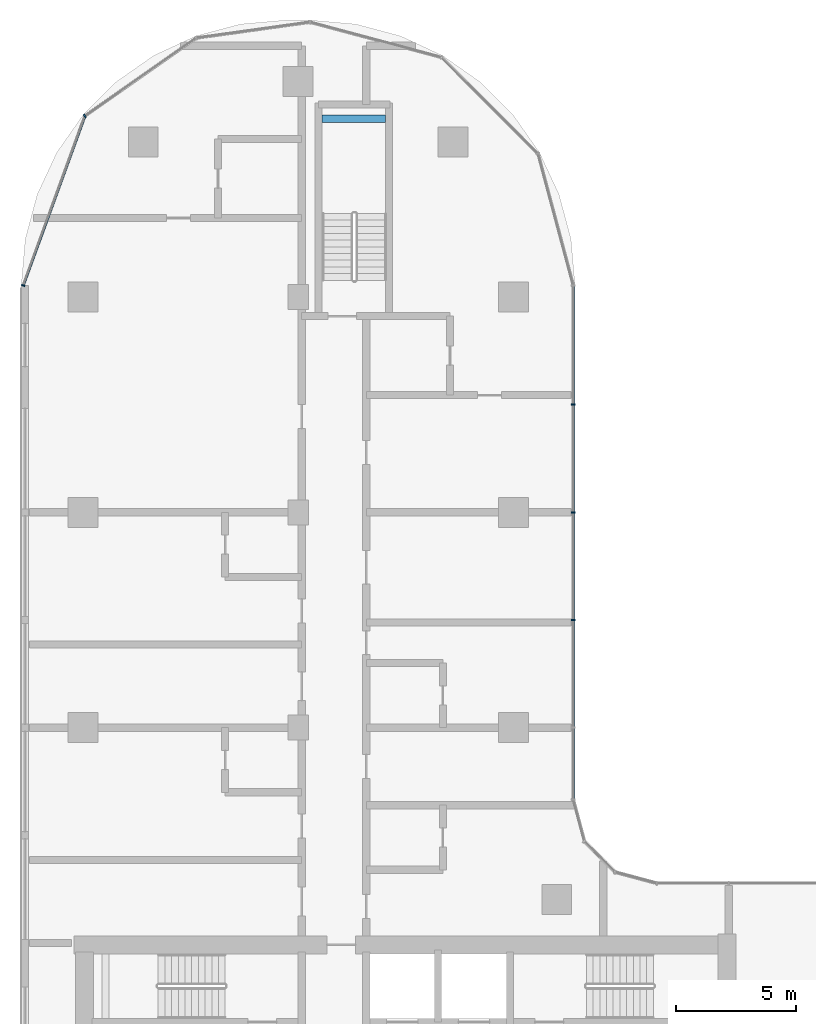
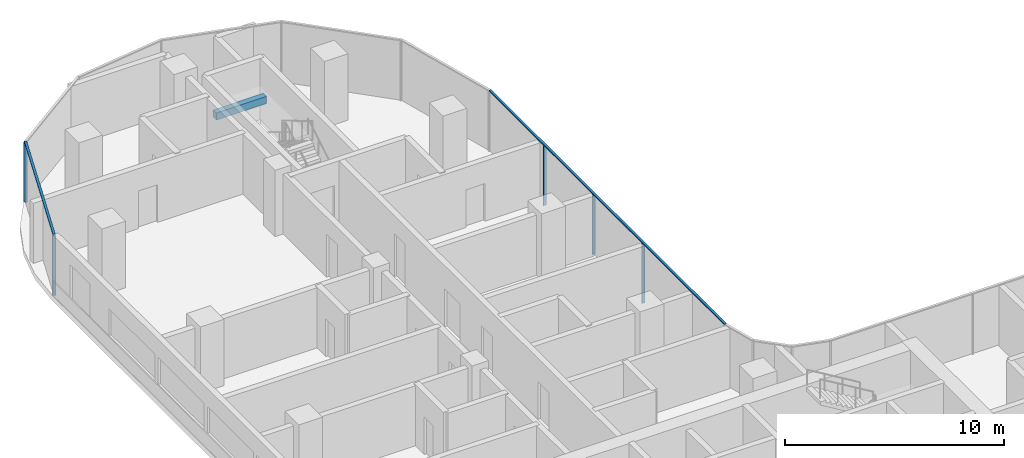
# One storey, part 6 of 23: 7 members, 1 beam, 2 elements without a shape of their own.
"""IFC4 building model written with IfcOpenShell, lengths in metres."""

from ifc_helpers import new_model, si_unit, direction, frame, origin, origin_2d, place, context, subcontext, project, spatial, rectangle, extrude, material, material_profile, profile_set, type_object, element, aggregate, save


model = new_model("IFC4")

# Units and contexts
model_context = context("Model", 3, precision=1e-05, world=origin(), true_north=direction((0.0, 1.0)))
body_context = subcontext(model_context, "Body", "Model", "MODEL_VIEW")
ifc_project = project(units=[si_unit("LENGTHUNIT", "METRE"), si_unit("AREAUNIT", "SQUARE_METRE"), si_unit("VOLUMEUNIT", "CUBIC_METRE"), si_unit("PLANEANGLEUNIT", "RADIAN"), si_unit("MASSUNIT", "GRAM", prefix="KILO")], contexts=[model_context])

# Site, building, storey
site_placement = place(None, origin())
site = spatial("IfcSite", under=ifc_project, at=site_placement, CompositionType="ELEMENT")
building_placement = place(site_placement, origin())
building = spatial("IfcBuilding", under=site, at=building_placement, Name="Ogive Portal Towers", CompositionType="ELEMENT")
storey_placement = place(building_placement, frame((0.0, 0.0, 120.39990234375)))
storey = spatial("IfcBuildingStorey", under=building, at=storey_placement, Name="L29", CompositionType="ELEMENT", Elevation=120.39990234375)

# Beam
ifc_material_1 = material(Name="Concrete C40/50", Category="concrete")
ifc_material_profile_1 = material_profile(ifc_material_1, rectangle(XDim=0.300048828125, YDim=0.39990234375, at=origin_2d()), Name="RC 300x400")
ifc_profile_set_1 = profile_set([ifc_material_profile_1], Name="Concrete C40/50")
beam_type = type_object("IfcBeamType", Name="BEAM RC 300x400", PredefinedType="BEAM", material=ifc_profile_set_1)
beam_placement = place(storey_placement, frame((41.5, 73.949951171875, 1.4501953125), z_axis=(1.0, 0.0, 0.0), x_axis=(0.0, 1.0, 0.0)))
element("IfcBeam", 1, at=beam_placement, inside=storey, type_object=beam_type, Name="Landing beam L29", PredefinedType="BEAM", context=body_context, shape_type="SweptSolid", body=[
    extrude(rectangle(XDim=0.300048828125, YDim=0.39990234375, at=origin_2d()), origin(), (0.0, 0.0, 1.0), 2.64990234375),
])

# Curtain wall, members
ifc_material_2 = material(Name="Glass, clear low-iron insulated glazing", Category="glass")
curtain_wall_type = type_object("IfcCurtainWallType", Name="CW FRONT RIBBON 4500", PredefinedType="NOTDEFINED", material=ifc_material_2)
curtain_wall_1_placement = place(storey_placement, origin())
curtain_wall_1 = element("IfcCurtainWall", 2, at=curtain_wall_1_placement, inside=storey, type_object=curtain_wall_type, Name="A:L29:f20:cw0", PredefinedType="NOTDEFINED")
ifc_material_3 = material(Name="Aluminium 6063 anodised", Category="aluminium")
ifc_material_profile_2 = material_profile(ifc_material_3, rectangle(XDim=0.159912109375, YDim=0.06005859375, at=origin_2d()), Name="AL 60x160")
ifc_profile_set_2 = profile_set([ifc_material_profile_2], Name="Aluminium 6063 anodised")
member_type_1 = type_object("IfcMemberType", Name="CW MULLION 60x160", PredefinedType="MULLION", material=ifc_profile_set_2)
member_1_placement = place(storey_placement, frame((51.9951171875, 53.0, 0.0), z_axis=(0.0, 0.0, 1.0), x_axis=(-1.0, 0.0, 0.0)))
member_1 = element("IfcMember", 3, at=member_1_placement, type_object=member_type_1, Name="mullion", PredefinedType="MULLION", context=body_context, shape_type="SweptSolid", body=[
    extrude(rectangle(XDim=0.159912109375, YDim=0.06005859375, at=origin_2d()), origin(), (0.0, 0.0, 1.0), 3.340087890625),
])
member_2_placement = place(storey_placement, frame((51.9951171875, 57.5, 0.0), z_axis=(0.0, 0.0, 1.0), x_axis=(-1.0, 0.0, 0.0)))
member_2 = element("IfcMember", 4, at=member_2_placement, type_object=member_type_1, Name="mullion", PredefinedType="MULLION", context=body_context, shape_type="SweptSolid", body=[
    extrude(rectangle(XDim=0.159912109375, YDim=0.06005859375, at=origin_2d()), origin(), (0.0, 0.0, 1.0), 3.340087890625),
])
member_3_placement = place(storey_placement, frame((51.9951171875, 62.0, 0.0), z_axis=(0.0, 0.0, 1.0), x_axis=(-1.0, 0.0, 0.0)))
member_3 = element("IfcMember", 5, at=member_3_placement, type_object=member_type_1, Name="mullion", PredefinedType="MULLION", context=body_context, shape_type="SweptSolid", body=[
    extrude(rectangle(XDim=0.159912109375, YDim=0.06005859375, at=origin_2d()), origin(), (0.0, 0.0, 1.0), 3.340087890625),
])

curtain_wall_2_placement = place(storey_placement, origin())
curtain_wall_2 = element("IfcCurtainWall", 6, at=curtain_wall_2_placement, inside=storey, type_object=curtain_wall_type, Name="A:L29:f21:cwa", PredefinedType="NOTDEFINED")
member_4_placement = place(storey_placement, frame((31.58251953125, 74.06787109375, 0.0), z_axis=(0.0, 0.0, 1.0), x_axis=(0.573576436351, -0.819152044289, 0.0)))
member_4 = element("IfcMember", 7, at=member_4_placement, type_object=member_type_1, Name="mullion", PredefinedType="MULLION", context=body_context, shape_type="SweptSolid", body=[
    extrude(rectangle(XDim=0.159912109375, YDim=0.06005859375, at=origin_2d()), origin(), (0.0, 0.0, 1.0), 3.340087890625),
])
member_5_placement = place(storey_placement, frame((29.0048828125, 66.98583984375, 0.0), z_axis=(0.0, 0.0, 1.0), x_axis=(0.939692620786, -0.342020143326, 0.0)))
member_5 = element("IfcMember", 8, at=member_5_placement, type_object=member_type_1, Name="mullion", PredefinedType="MULLION", context=body_context, shape_type="SweptSolid", body=[
    extrude(rectangle(XDim=0.159912109375, YDim=0.06005859375, at=origin_2d()), origin(), (0.0, 0.0, 1.0), 3.340087890625),
])

# Member
ifc_material_profile_3 = material_profile(ifc_material_3, rectangle(XDim=0.1201171875, YDim=0.06005859375, at=origin_2d()), Name="AL 120x60")
ifc_profile_set_3 = profile_set([ifc_material_profile_3], Name="Aluminium 6063 anodised")
member_type_2 = type_object("IfcMemberType", Name="CW TRANSOM 60x120", PredefinedType="USERDEFINED", material=ifc_profile_set_3)
member_6_placement = place(storey_placement, frame((51.9951171875, 45.489501953125, 3.3701171875), z_axis=(0.0, 1.0, 0.0), x_axis=(-1.0, 0.0, 0.0)))
member_6 = element("IfcMember", 9, at=member_6_placement, type_object=member_type_2, Name="transom", ObjectType="TRANSOM", PredefinedType="USERDEFINED", context=body_context, shape_type="SweptSolid", body=[
    extrude(rectangle(XDim=0.1201171875, YDim=0.06005859375, at=origin_2d()), origin(), (0.0, 0.0, 1.0), 21.5),
])

aggregate(curtain_wall_1, [member_6, member_1, member_2, member_3])

member_7_placement = place(storey_placement, frame((31.58251953125, 74.06787109375, 3.3701171875), z_axis=(-0.342018754399, -0.939693126313, 0.0), x_axis=(0.939693126313, -0.342018754399, 0.0)))
member_7 = element("IfcMember", 10, at=member_7_placement, type_object=member_type_2, Name="transom", ObjectType="TRANSOM", PredefinedType="USERDEFINED", context=body_context, shape_type="SweptSolid", body=[
    extrude(rectangle(XDim=0.1201171875, YDim=0.06005859375, at=origin_2d()), origin(), (0.0, 0.0, 1.0), 7.53662109375),
])

aggregate(curtain_wall_2, [member_7, member_4, member_5])

save(model, "model.ifc")
